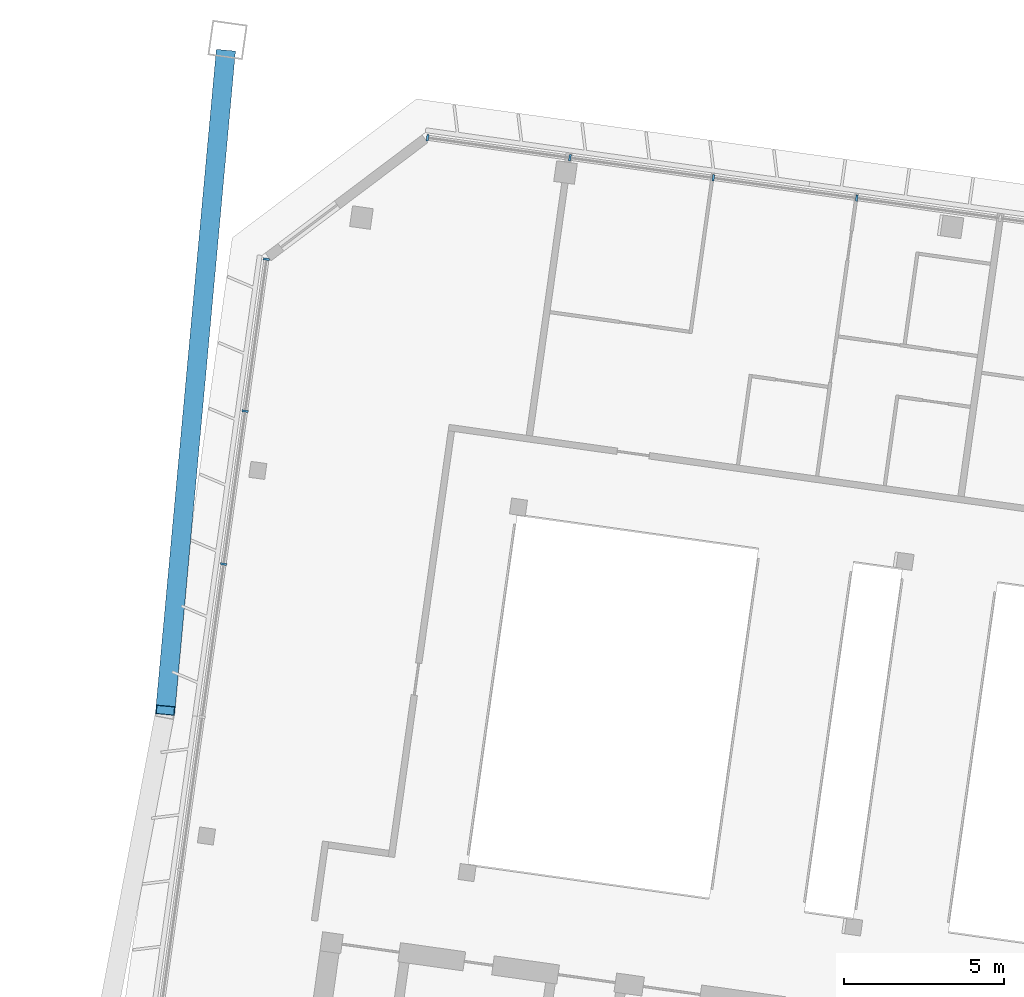
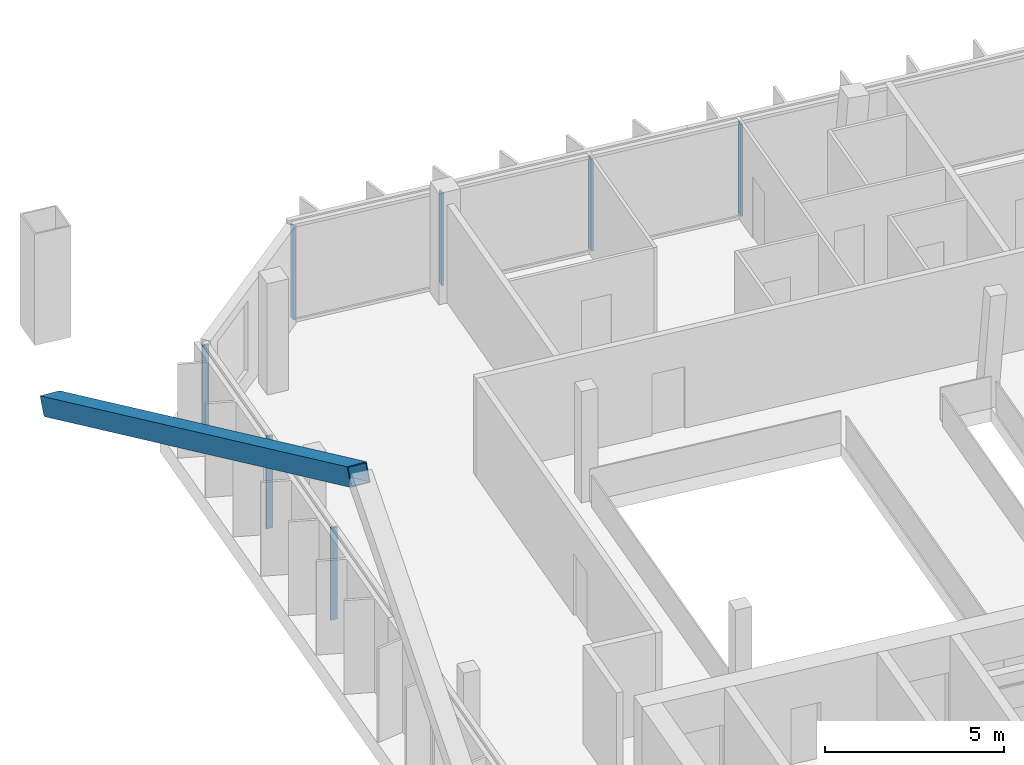
# One storey, part 4 of 19: 8 members, 2 elements without a shape of their own.
"""IFC4 building model written with IfcOpenShell, lengths in metres."""

import ifcopenshell
import ifcopenshell.guid

model = None  # the IFC model being written
_history = None  # IfcOwnerHistory: only IFC2X3 demands one
_inside = {}  # id of a spatial element -> (the spatial element, [elements in it])
_under = {}  # id of a project, library or spatial element -> (it, [spatial elements below it])
_declared = {}  # id of a project -> (the project, [libraries it declares])
_typed = {}  # id of a type object -> (the type object, [elements of that type])
_made_of = {}  # id of a material, layer set ... -> (it, [elements and type objects made of it])


def new_model(schema):
    """Start an empty IFC model of exactly this schema.

    Asked for "IFC4X3", IfcOpenShell would pick the latest addendum, in which some entities
    have other attributes; the version numbers below select the first issue.
    IFC2X3 requires an IfcOwnerHistory on every rooted entity: one is made here for all.
    """
    global model, _history
    if schema == "IFC4X3":
        model = ifcopenshell.file(schema_version=(4, 3, 0, 0))
    else:
        model = ifcopenshell.file(schema=schema)
    _inside.clear()
    _under.clear()
    _declared.clear()
    _typed.clear()
    _made_of.clear()
    _history = None
    if model.schema == "IFC2X3":
        org = make("IfcOrganization", Name="unknown")
        user = make(
            "IfcPersonAndOrganization",
            ThePerson=make("IfcPerson", FamilyName="unknown"),
            TheOrganization=org,
        )
        app = make(
            "IfcApplication",
            ApplicationDeveloper=org,
            Version="unknown",
            ApplicationFullName="unknown",
            ApplicationIdentifier="unknown",
        )
        _history = make(
            "IfcOwnerHistory",
            OwningUser=user,
            OwningApplication=app,
            ChangeAction="ADDED",
            CreationDate=0,
        )
    return model


def make(cls, **values):
    """One entity of the class cls with the attributes given. An attribute that is None is left unset."""
    return model.create_entity(
        cls, **{name: value for name, value in values.items() if value is not None}
    )


def rooted(cls, **values):
    """An entity with a GlobalId (a new one), such as an element, a storey or a relation."""
    return make(cls, GlobalId=ifcopenshell.guid.new(), OwnerHistory=_history, **values)


def si_unit(unit_type, name, prefix=None):
    """IfcSIUnit, for example si_unit("LENGTHUNIT", "METRE", prefix="MILLI")."""
    return make("IfcSIUnit", UnitType=unit_type, Prefix=prefix, Name=name)


def assignment(units):
    """IfcUnitAssignment: the units of a project."""
    return None if units is None else make("IfcUnitAssignment", Units=units)


def point(xyz):
    """IfcCartesianPoint."""
    return None if xyz is None else make("IfcCartesianPoint", Coordinates=xyz)


def direction(xyz):
    """IfcDirection."""
    return None if xyz is None else make("IfcDirection", DirectionRatios=xyz)


def frame(location, z_axis=None, x_axis=None):
    """IfcAxis2Placement3D, a coordinate frame: its origin and axes. An axis left out is left unset."""
    return make(
        "IfcAxis2Placement3D",
        Location=point(location),
        Axis=direction(z_axis),
        RefDirection=direction(x_axis),
    )


def frame_2d(location, x_axis=None):
    """IfcAxis2Placement2D, a coordinate frame in the plane: its origin and x axis."""
    return make(
        "IfcAxis2Placement2D", Location=point(location), RefDirection=direction(x_axis)
    )


def origin():
    """The frame at (0, 0, 0) with its axes left unset."""
    return frame((0.0, 0.0, 0.0))


def origin_2d():
    """The frame at (0, 0) in the plane with its x axis left unset."""
    return frame_2d((0.0, 0.0))


def place(relative_to, where):
    """IfcLocalPlacement: puts the frame where relative to a parent placement (None: the world)."""
    return make(
        "IfcLocalPlacement", PlacementRelTo=relative_to, RelativePlacement=where
    )


def context(
    kind, dimensions, precision=None, world=None, true_north=None, identifier=None
):
    """IfcGeometricRepresentationContext, for example the 3D "Model" context."""
    return make(
        "IfcGeometricRepresentationContext",
        ContextIdentifier=identifier,
        ContextType=kind,
        CoordinateSpaceDimension=dimensions,
        Precision=precision,
        WorldCoordinateSystem=world,
        TrueNorth=true_north,
    )


def subcontext(parent, identifier, kind, view, scale=None):
    """IfcGeometricRepresentationSubContext, for example "Body" below "Model"."""
    return make(
        "IfcGeometricRepresentationSubContext",
        ContextIdentifier=identifier,
        ContextType=kind,
        ParentContext=parent,
        TargetScale=scale,
        TargetView=view,
    )


def project(units=None, contexts=None):
    """IfcProject with its units and contexts."""
    return rooted(
        "IfcProject",
        Name="project",
        RepresentationContexts=contexts,
        UnitsInContext=assignment(units),
    )


def spatial(cls, under=None, at=None, **own):
    """A site, building, storey or space (cls), placed at a placement, below another one or the project."""
    s = rooted(cls, ObjectPlacement=at, **own)
    if under is not None:
        _under.setdefault(under.id(), (under, []))[1].append(s)
    return s


def profile(cls, at=None, kind="AREA", **sizes):
    """A parametric profile (cls). Its sizes go by their IFC names, for example OverallWidth=200.0."""
    return make(cls, ProfileType=kind, Position=at, **sizes)


def rectangle(**sizes):
    """IfcRectangleProfileDef."""
    return profile("IfcRectangleProfileDef", **sizes)


def hollow_rectangle(**sizes):
    """IfcRectangleHollowProfileDef."""
    return profile("IfcRectangleHollowProfileDef", **sizes)


def extrude(swept, where, along, depth):
    """IfcExtrudedAreaSolid: the profile swept, set in the frame where, extruded along a direction by depth."""
    return make(
        "IfcExtrudedAreaSolid",
        SweptArea=swept,
        Position=where,
        ExtrudedDirection=direction(along),
        Depth=depth,
    )


def shape(context_of_items, identifier, shape_type, items):
    """IfcShapeRepresentation: the items that make up one representation, for example the "Body"."""
    return make(
        "IfcShapeRepresentation",
        ContextOfItems=context_of_items,
        RepresentationIdentifier=identifier,
        RepresentationType=shape_type,
        Items=items,
    )


def material(Name=None, Category=None):
    """IfcMaterial."""
    return make("IfcMaterial", Name=Name, Category=Category)


def material_profile(
    of_material, cross_section, Name=None, Category=None, Priority=None
):
    """IfcMaterialProfile: a cross section and its material."""
    return make(
        "IfcMaterialProfile",
        Name=Name,
        Material=of_material,
        Profile=cross_section,
        Priority=Priority,
        Category=Category,
    )


def profile_set(profiles, Name=None, composite=None):
    """IfcMaterialProfileSet."""
    return make(
        "IfcMaterialProfileSet",
        Name=Name,
        MaterialProfiles=profiles,
        CompositeProfile=composite,
    )


def made_of(thing, what):
    """Note that an element or type object is made of a material, layer set ...; save() writes the relation."""
    if what is not None:
        _made_of.setdefault(what.id(), (what, []))[1].append(thing)
    return thing


def type_object(cls, material=None, **own):
    """A type object (cls), such as IfcWallType, which elements share."""
    return made_of(rooted(cls, **own), material)


def element(
    cls,
    number,
    at=None,
    inside=None,
    cuts=None,
    type_object=None,
    material=None,
    context=None,
    identifier="Body",
    shape_type=None,
    held_by="IfcProductDefinitionShape",
    body=None,
    shapes=None,
    **own,
):
    """One element of the class cls, such as IfcWall. Its Tag is "e" and its number.

    at: its placement. inside: the storey or other place that contains it. cuts: it is an
    opening in that element (IfcRelVoidsElement). A single representation is given by context,
    identifier, shape_type and body (its items); several are given by shapes. held_by: the class
    of the entity that holds the representations. save() writes the other relations.
    """
    e = rooted(cls, Tag="e%d" % number, ObjectPlacement=at, **own)
    if body is not None:
        shapes = [shape(context, identifier, shape_type, body)]
    if shapes is not None:
        e.Representation = make(held_by, Representations=shapes)
    if inside is not None:
        _inside.setdefault(inside.id(), (inside, []))[1].append(e)
    if cuts is not None:
        rooted(
            "IfcRelVoidsElement", RelatingBuildingElement=cuts, RelatedOpeningElement=e
        )
    if type_object is not None:
        _typed.setdefault(type_object.id(), (type_object, []))[1].append(e)
    return made_of(e, material)


def aggregate(whole, parts):
    """IfcRelAggregates: a whole, such as a stair, and the parts it consists of."""
    return rooted("IfcRelAggregates", RelatingObject=whole, RelatedObjects=parts)


def save(model, path):
    """Write the relations noted so far, then the file.

    IfcRelAggregates (storeys below a building ...), IfcRelContainedInSpatialStructure (elements
    in a storey), IfcRelDefinesByType, IfcRelAssociatesMaterial and IfcRelDeclares: one each for
    every whole, place, type object, material and project.
    """
    for whole, parts in _under.values():
        aggregate(whole, parts)
    for where, things in _inside.values():
        rooted(
            "IfcRelContainedInSpatialStructure",
            RelatedElements=things,
            RelatingStructure=where,
        )
    for kind, things in _typed.values():
        rooted("IfcRelDefinesByType", RelatedObjects=things, RelatingType=kind)
    for what, things in _made_of.values():
        rooted("IfcRelAssociatesMaterial", RelatedObjects=things, RelatingMaterial=what)
    for by, libraries in _declared.values():
        rooted("IfcRelDeclares", RelatingContext=by, RelatedDefinitions=libraries)
    model.write(path)


model = new_model("IFC4")

# Units and contexts
model_context = context("Model", 3, precision=1e-05, world=origin(), true_north=direction((0.0, 1.0)))
body_context = subcontext(model_context, "Body", "Model", "MODEL_VIEW")
ifc_project = project(units=[si_unit("LENGTHUNIT", "METRE"), si_unit("AREAUNIT", "SQUARE_METRE"), si_unit("VOLUMEUNIT", "CUBIC_METRE"), si_unit("PLANEANGLEUNIT", "RADIAN"), si_unit("MASSUNIT", "GRAM", prefix="KILO")], contexts=[model_context])

# Site, building, storey
site_placement = place(None, origin())
site = spatial("IfcSite", under=ifc_project, at=site_placement, CompositionType="ELEMENT")
building_placement = place(site_placement, origin())
building = spatial("IfcBuilding", under=site, at=building_placement, Name="Mirante Cascada Hotel Towers", CompositionType="ELEMENT")
storey_placement = place(building_placement, frame((0.0, 0.0, 239.4)))
storey = spatial("IfcBuildingStorey", under=building, at=storey_placement, Name="L57", CompositionType="ELEMENT", Elevation=239.4)

# Member
ifc_material_1 = material(Name="Steel ASTM A572 Gr 50", Category="steel")
ifc_material_profile_1 = material_profile(ifc_material_1, hollow_rectangle(XDim=0.6, YDim=0.6, WallThickness=0.028, at=origin_2d()), Name="Box brace 600x600x28 ASTM A572 Gr 50")
ifc_profile_set_1 = profile_set([ifc_material_profile_1], Name="Steel ASTM A572 Gr 50")
member_type_1 = type_object("IfcMemberType", Name="Box brace 600x600x28 ASTM A572 Gr 50", PredefinedType="BRACE", material=ifc_profile_set_1)
member_1_placement = place(storey_placement, frame((-64.7718, 23.6268, -2.1856), z_axis=(-0.0811248, -0.8843328, 0.4597547), x_axis=(0.9958187, -0.091352, 0.0)))
element("IfcMember", 1, at=member_1_placement, inside=storey, type_object=member_type_1, Name="brace T1 L57 2", PredefinedType="BRACE", context=body_context, shape_type="SweptSolid", body=[
    extrude(hollow_rectangle(XDim=0.6, YDim=0.6, WallThickness=0.028, at=origin_2d()), origin(), (0.0, 0.0, 1.0), 23.0978),
])

# Curtain wall, members
ifc_material_2 = material(Name="Aluminium mullion and transom frame with clear laminated glass", Category="aluminium")
curtain_wall_type_1 = type_object("IfcCurtainWallType", Name="Ribbon curtain wall ECW1", PredefinedType="NOTDEFINED", material=ifc_material_2)
curtain_wall_1_placement = place(storey_placement, origin())
curtain_wall_1 = element("IfcCurtainWall", 2, at=curtain_wall_1_placement, inside=storey, type_object=curtain_wall_type_1, Name="Front ribbon wall T1 L57", PredefinedType="NOTDEFINED")
ifc_material_3 = material(Name="Anodised aluminium extrusion", Category="aluminium")
ifc_material_profile_2 = material_profile(ifc_material_3, rectangle(XDim=0.2, YDim=0.065, at=origin_2d()), Name="ECW1 MULLION 65x200")
ifc_profile_set_2 = profile_set([ifc_material_profile_2], Name="Anodised aluminium extrusion")
member_type_2 = type_object("IfcMemberType", Name="ECW1 mullion 65x200", PredefinedType="MULLION", material=ifc_profile_set_2)
member_2_placement = place(storey_placement, frame((-58.4763, 21.0373, 0.1), z_axis=(0.0, 0.0, 1.0), x_axis=(0.1391731, 0.9902681, 0.0)))
member_2 = element("IfcMember", 3, at=member_2_placement, type_object=member_type_2, Name="ECW1 mullion 1", PredefinedType="MULLION", context=body_context, shape_type="SweptSolid", body=[
    extrude(rectangle(XDim=0.2, YDim=0.065, at=origin_2d()), origin(), (0.0, 0.0, 1.0), 3.15),
])
member_3_placement = place(storey_placement, frame((-54.041, 20.414, 0.1), z_axis=(0.0, 0.0, 1.0), x_axis=(0.1391731, 0.9902681, 0.0)))
member_3 = element("IfcMember", 4, at=member_3_placement, type_object=member_type_2, Name="ECW1 mullion 2", PredefinedType="MULLION", context=body_context, shape_type="SweptSolid", body=[
    extrude(rectangle(XDim=0.2, YDim=0.065, at=origin_2d()), origin(), (0.0, 0.0, 1.0), 3.15),
])
member_4_placement = place(storey_placement, frame((-49.5736, 19.7861, 0.1), z_axis=(0.0, 0.0, 1.0), x_axis=(0.1391731, 0.9902681, 0.0)))
member_4 = element("IfcMember", 5, at=member_4_placement, type_object=member_type_2, Name="ECW1 mullion 3", PredefinedType="MULLION", context=body_context, shape_type="SweptSolid", body=[
    extrude(rectangle(XDim=0.2, YDim=0.065, at=origin_2d()), origin(), (0.0, 0.0, 1.0), 3.15),
])
member_5_placement = place(storey_placement, frame((-45.1061, 19.1583, 0.1), z_axis=(0.0, 0.0, 1.0), x_axis=(0.1391731, 0.9902681, 0.0)))
member_5 = element("IfcMember", 6, at=member_5_placement, type_object=member_type_2, Name="ECW1 mullion 4", PredefinedType="MULLION", context=body_context, shape_type="SweptSolid", body=[
    extrude(rectangle(XDim=0.2, YDim=0.065, at=origin_2d()), origin(), (0.0, 0.0, 1.0), 3.15),
])
aggregate(curtain_wall_1, [member_2, member_3, member_4, member_5])

ifc_material_4 = material(Name="Aluminium mullion and transom frame with clear laminated glass", Category="aluminium")
curtain_wall_type_2 = type_object("IfcCurtainWallType", Name="End ribbon curtain wall ECW2", PredefinedType="NOTDEFINED", material=ifc_material_4)
curtain_wall_2_placement = place(storey_placement, origin())
curtain_wall_2 = element("IfcCurtainWall", 7, at=curtain_wall_2_placement, inside=storey, type_object=curtain_wall_type_2, Name="Outer end wall T1 L57", PredefinedType="NOTDEFINED")
ifc_material_5 = material(Name="Anodised aluminium extrusion", Category="aluminium")
ifc_material_profile_3 = material_profile(ifc_material_5, rectangle(XDim=0.2, YDim=0.065, at=origin_2d()), Name="ECW2 MULLION 65x200")
ifc_profile_set_3 = profile_set([ifc_material_profile_3], Name="Anodised aluminium extrusion")
member_type_3 = type_object("IfcMemberType", Name="ECW2 mullion 65x200", PredefinedType="MULLION", material=ifc_profile_set_3)
member_6_placement = place(storey_placement, frame((-64.8313, 7.7551, 0.1), z_axis=(0.0, 0.0, 1.0), x_axis=(-0.9902681, 0.1391731, 0.0)))
member_6 = element("IfcMember", 8, at=member_6_placement, type_object=member_type_3, Name="ECW2 mullion 5", PredefinedType="MULLION", context=body_context, shape_type="SweptSolid", body=[
    extrude(rectangle(XDim=0.2, YDim=0.065, at=origin_2d()), origin(), (0.0, 0.0, 1.0), 3.15),
])
member_7_placement = place(storey_placement, frame((-64.1615, 12.5209, 0.1), z_axis=(0.0, 0.0, 1.0), x_axis=(-0.9902681, 0.1391731, 0.0)))
member_7 = element("IfcMember", 9, at=member_7_placement, type_object=member_type_3, Name="ECW2 mullion 6", PredefinedType="MULLION", context=body_context, shape_type="SweptSolid", body=[
    extrude(rectangle(XDim=0.2, YDim=0.065, at=origin_2d()), origin(), (0.0, 0.0, 1.0), 3.15),
])
member_8_placement = place(storey_placement, frame((-63.4963, 17.2545, 0.1), z_axis=(0.0, 0.0, 1.0), x_axis=(-0.9902681, 0.1391731, 0.0)))
member_8 = element("IfcMember", 10, at=member_8_placement, type_object=member_type_3, Name="ECW2 mullion 7", PredefinedType="MULLION", context=body_context, shape_type="SweptSolid", body=[
    extrude(rectangle(XDim=0.2, YDim=0.065, at=origin_2d()), origin(), (0.0, 0.0, 1.0), 3.15),
])
aggregate(curtain_wall_2, [member_6, member_7, member_8])

save(model, "model.ifc")
